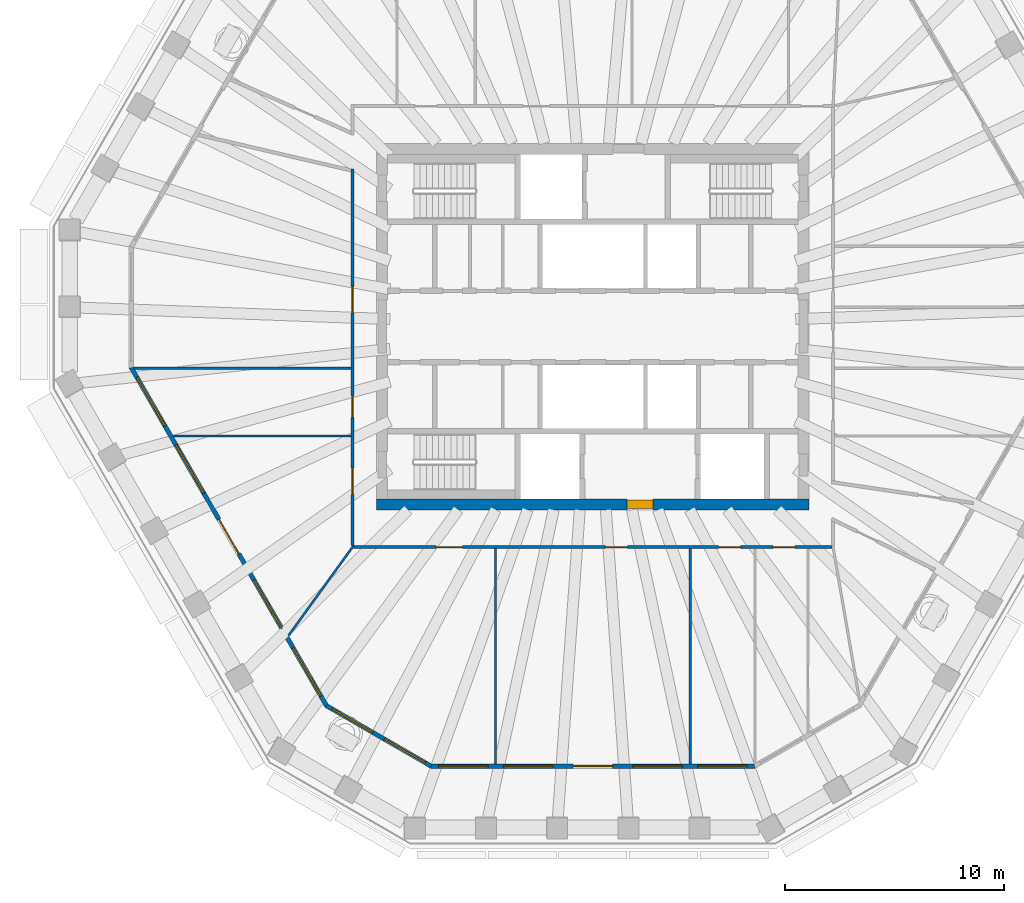
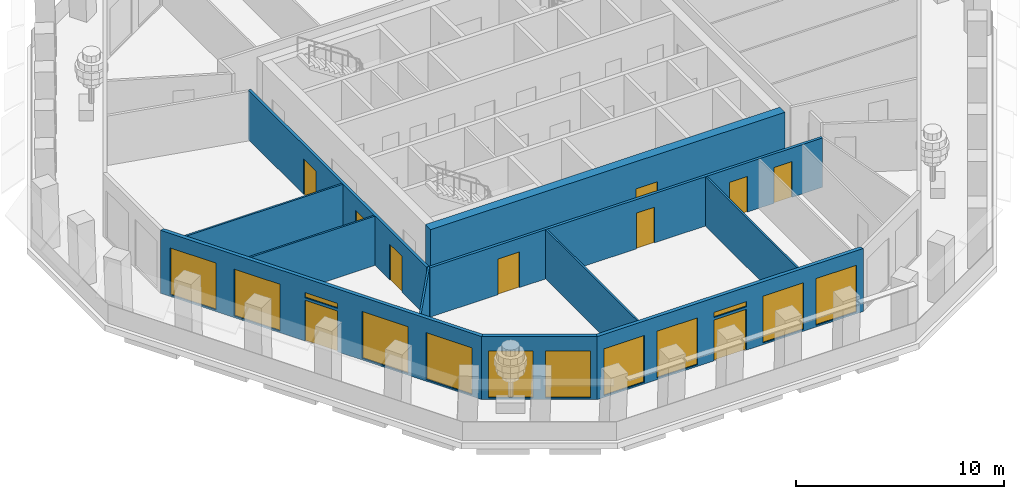
# One storey, part 3 of 12: 12 windows, 11 walls, 10 doors, 22 openings.
"""IFC4 building model written with IfcOpenShell, lengths in metres."""

from ifc_helpers import new_model, si_unit, direction, frame, frame_2d, origin, place, context, subcontext, project, spatial, polyline, rectangle, outline, extrude, material, layer, layer_set, type_object, element, fill, save


model = new_model("IFC4")

# Units and contexts
model_context = context("Model", 3, precision=1e-05, world=origin(), true_north=direction((0.0, 1.0)))
body_context = subcontext(model_context, "Body", "Model", "MODEL_VIEW")
ifc_project = project(units=[si_unit("LENGTHUNIT", "METRE"), si_unit("AREAUNIT", "SQUARE_METRE"), si_unit("VOLUMEUNIT", "CUBIC_METRE"), si_unit("PLANEANGLEUNIT", "RADIAN"), si_unit("MASSUNIT", "GRAM", prefix="KILO")], contexts=[model_context])

# Site, building, storey
site_placement = place(None, origin())
site = spatial("IfcSite", under=ifc_project, at=site_placement, CompositionType="ELEMENT")
building_placement = place(site_placement, origin())
building = spatial("IfcBuilding", under=site, at=building_placement, Name="Frailejon Research Tower", CompositionType="ELEMENT")
storey_placement = place(building_placement, frame((0.0, 0.0, 291.0)))
storey = spatial("IfcBuildingStorey", under=building, at=storey_placement, Name="L64", CompositionType="ELEMENT", Elevation=291.0)

# Wall, opening, door
ifc_material_1 = material(Name="Concrete C50/60", Category="concrete")
ifc_layer_1 = layer(ifc_material_1, 0.5)
ifc_layer_set_1 = layer_set([ifc_layer_1], Name="Core shear wall 500 C50/60")
wall_type_1 = type_object("IfcWallType", Name="Core shear wall 500 C50/60", PredefinedType="SHEAR", material=ifc_layer_set_1)
wall_1_placement = place(storey_placement, frame((-9.85009765625, -8.10009765625, 0.0), z_axis=(0.0, 0.0, 1.0), x_axis=(1.0, 0.0, 0.0)))
wall_1 = element("IfcWall", 1, at=wall_1_placement, inside=storey, type_object=wall_type_1, Name="Core shear wall", PredefinedType="SHEAR", context=body_context, shape_type="SweptSolid", body=[
    extrude(rectangle(XDim=19.7001953125, YDim=0.5, at=frame_2d((9.85009765625, 0.0))), origin(), (0.0, 0.0, 1.0), 3.699951171875),
])
opening_1_placement = place(wall_1_placement, frame((11.39990234375, 0.0, 0.0)))
opening_1 = element("IfcOpeningElement", 2, at=opening_1_placement, cuts=wall_1, Name="Opening D3", PredefinedType="OPENING", context=body_context, shape_type="SweptSolid", body=[
    extrude(rectangle(XDim=1.199951171875, YDim=2.10009765625, at=frame_2d((0.60009765625, 1.050048828125))), frame((0.0, 0.260009765625, 0.0), z_axis=(0.0, -1.0, 0.0), x_axis=(1.0, 0.0, 0.0)), (0.0, 0.0, 1.0), 0.52001953125),
])
ifc_material_2 = material(Name="Steel", Category="steel")
door_type_1 = type_object("IfcDoorType", Name="Firefighting lobby door", OperationType="SINGLE_SWING_LEFT", PredefinedType="DOOR", material=ifc_material_2)
door_1_placement = place(opening_1_placement, origin())
door_1 = element("IfcDoor", 3, at=door_1_placement, inside=storey, type_object=door_type_1, Name="Firefighting lobby door", OperationType="SINGLE_SWING_RIGHT", OverallHeight=2.10009765625, OverallWidth=1.199951171875, PredefinedType="DOOR", context=body_context, shape_type="SweptSolid", body=[
    extrude(rectangle(XDim=1.199951171875, YDim=2.10009765625, at=frame_2d((0.60009765625, 1.050048828125))), frame((0.0, 0.199951171875, 0.0), z_axis=(0.0, -1.0, 0.0), x_axis=(1.0, 0.0, 0.0)), (0.0, 0.0, 1.0), 0.39990234375),
])
fill(opening_1, door_1)

# Wall, openings, doors
ifc_material_3 = material(Name="Gypsum board and masonry partition", Category="masonry")
ifc_layer_2 = layer(ifc_material_3, 0.14990234375)
ifc_layer_set_2 = layer_set([ifc_layer_2], Name="Corridor wall EI 60, gypsum on steel studs 150")
wall_type_2 = type_object("IfcWallType", Name="Corridor wall EI 60, gypsum on steel studs 150", PredefinedType="PARTITIONING", material=ifc_layer_set_2)
wall_2_placement = place(storey_placement, frame((-10.949951171875, -9.97509765625, 0.0), z_axis=(0.0, 0.0, 1.0), x_axis=(0.0, 1.0, 0.0)))
wall_2 = element("IfcWall", 4, at=wall_2_placement, inside=storey, type_object=wall_type_2, Name="T:IW:L64:006", PredefinedType="PARTITIONING", context=body_context, shape_type="SweptSolid", body=[
    extrude(rectangle(XDim=17.150146484375, YDim=0.14990234375, at=frame_2d((8.5751953125, 0.0))), origin(), (0.0, 0.0, 1.0), 2.89990234375),
])
opening_2_placement = place(wall_2_placement, frame((10.603271484375, 0.0, 0.0)))
opening_2 = element("IfcOpeningElement", 5, at=opening_2_placement, cuts=wall_2, Name="Opening D2233", PredefinedType="OPENING", context=body_context, shape_type="SweptSolid", body=[
    extrude(rectangle(XDim=1.199951171875, YDim=2.10009765625, at=frame_2d((0.60009765625, 1.050048828125))), frame((0.0, 0.0849609375, 0.0), z_axis=(0.0, -1.0, 0.0), x_axis=(1.0, 0.0, 0.0)), (0.0, 0.0, 1.0), 0.169921875),
])
opening_3_placement = place(wall_2_placement, frame((5.822509765625, 0.0, 0.0)))
opening_3 = element("IfcOpeningElement", 6, at=opening_3_placement, cuts=wall_2, Name="Opening D2234", PredefinedType="OPENING", context=body_context, shape_type="SweptSolid", body=[
    extrude(rectangle(XDim=1.0, YDim=2.10009765625, at=frame_2d((0.5, 1.050048828125))), frame((0.0, 0.0849609375, 0.0), z_axis=(0.0, -1.0, 0.0), x_axis=(1.0, 0.0, 0.0)), (0.0, 0.0, 1.0), 0.169921875),
])
opening_4_placement = place(wall_2_placement, frame((2.32958984375, 0.0, 0.0)))
opening_4 = element("IfcOpeningElement", 7, at=opening_4_placement, cuts=wall_2, Name="Opening D2235", PredefinedType="OPENING", context=body_context, shape_type="SweptSolid", body=[
    extrude(rectangle(XDim=1.199951171875, YDim=2.10009765625, at=frame_2d((0.60009765625, 1.050048828125))), frame((0.0, 0.0849609375, 0.0), z_axis=(0.0, -1.0, 0.0), x_axis=(1.0, 0.0, 0.0)), (0.0, 0.0, 1.0), 0.169921875),
])
ifc_material_4 = material(Name="Timber door leaf", Category="wood")
door_type_2 = type_object("IfcDoorType", Name="Door single leaf, timber, steel frame 1000", OperationType="NOTDEFINED", PredefinedType="DOOR", material=ifc_material_4)
door_2_placement = place(opening_3_placement, origin())
door_2 = element("IfcDoor", 8, at=door_2_placement, inside=storey, type_object=door_type_2, Name="D2234", OperationType="SINGLE_SWING_RIGHT", OverallHeight=2.10009765625, OverallWidth=1.0, PredefinedType="DOOR", context=body_context, shape_type="SweptSolid", body=[
    extrude(rectangle(XDim=1.0, YDim=2.10009765625, at=frame_2d((0.5, 1.050048828125))), frame((0.0, 0.02490234375, 0.0), z_axis=(0.0, -1.0, 0.0), x_axis=(1.0, 0.0, 0.0)), (0.0, 0.0, 1.0), 0.050048828125),
])
fill(opening_3, door_2)
ifc_material_5 = material(Name="Timber door leaf", Category="wood")
door_type_3 = type_object("IfcDoorType", Name="Door single leaf, timber, steel frame 1200", OperationType="NOTDEFINED", PredefinedType="DOOR", material=ifc_material_5)
door_3_placement = place(opening_2_placement, origin())
door_3 = element("IfcDoor", 9, at=door_3_placement, inside=storey, type_object=door_type_3, Name="D2233", OperationType="DOUBLE_DOOR_SINGLE_SWING", OverallHeight=2.10009765625, OverallWidth=1.199951171875, PredefinedType="DOOR", context=body_context, shape_type="SweptSolid", body=[
    extrude(rectangle(XDim=1.199951171875, YDim=2.10009765625, at=frame_2d((0.60009765625, 1.050048828125))), frame((0.0, 0.02490234375, 0.0), z_axis=(0.0, -1.0, 0.0), x_axis=(1.0, 0.0, 0.0)), (0.0, 0.0, 1.0), 0.050048828125),
])
fill(opening_2, door_3)
door_4_placement = place(opening_4_placement, origin())
door_4 = element("IfcDoor", 10, at=door_4_placement, inside=storey, type_object=door_type_3, Name="D2235", OperationType="DOUBLE_DOOR_SINGLE_SWING", OverallHeight=2.10009765625, OverallWidth=1.199951171875, PredefinedType="DOOR", context=body_context, shape_type="SweptSolid", body=[
    extrude(rectangle(XDim=1.199951171875, YDim=2.10009765625, at=frame_2d((0.60009765625, 1.050048828125))), frame((0.0, 0.02490234375, 0.0), z_axis=(0.0, -1.0, 0.0), x_axis=(1.0, 0.0, 0.0)), (0.0, 0.0, 1.0), 0.050048828125),
])
fill(opening_4, door_4)

wall_3_placement = place(storey_placement, frame((-10.89990234375, -10.050048828125, 0.0), z_axis=(0.0, 0.0, 1.0), x_axis=(1.0, 0.0, 0.0)))
wall_3 = element("IfcWall", 11, at=wall_3_placement, inside=storey, type_object=wall_type_2, Name="T:IW:L64:008", PredefinedType="PARTITIONING", context=body_context, shape_type="SweptSolid", body=[
    extrude(rectangle(XDim=21.7998046875, YDim=0.14990234375, at=frame_2d((10.89990234375, 0.0))), origin(), (0.0, 0.0, 1.0), 2.89990234375),
])
opening_5_placement = place(wall_3_placement, frame((3.758544921875, 0.0, 0.0)))
opening_5 = element("IfcOpeningElement", 12, at=opening_5_placement, cuts=wall_3, Name="Opening D2236", PredefinedType="OPENING", context=body_context, shape_type="SweptSolid", body=[
    extrude(rectangle(XDim=1.199951171875, YDim=2.10009765625, at=frame_2d((0.60009765625, 1.050048828125))), frame((0.0, 0.0849609375, 0.0), z_axis=(0.0, -1.0, 0.0), x_axis=(1.0, 0.0, 0.0)), (0.0, 0.0, 1.0), 0.169921875),
])
opening_6_placement = place(wall_3_placement, frame((11.4765625, 0.0, 0.0)))
opening_6 = element("IfcOpeningElement", 13, at=opening_6_placement, cuts=wall_3, Name="Opening D2237", PredefinedType="OPENING", context=body_context, shape_type="SweptSolid", body=[
    extrude(rectangle(XDim=1.0, YDim=2.10009765625, at=frame_2d((0.5, 1.050048828125))), frame((0.0, 0.0849609375, 0.0), z_axis=(0.0, -1.0, 0.0), x_axis=(1.0, 0.0, 0.0)), (0.0, 0.0, 1.0), 0.169921875),
])
opening_7_placement = place(wall_3_placement, frame((16.6328125, 0.0, 0.0)))
opening_7 = element("IfcOpeningElement", 14, at=opening_7_placement, cuts=wall_3, Name="Opening D2238", PredefinedType="OPENING", context=body_context, shape_type="SweptSolid", body=[
    extrude(rectangle(XDim=1.0, YDim=2.10009765625, at=frame_2d((0.5, 1.050048828125))), frame((0.0, 0.0849609375, 0.0), z_axis=(0.0, -1.0, 0.0), x_axis=(1.0, 0.0, 0.0)), (0.0, 0.0, 1.0), 0.169921875),
])
opening_8_placement = place(wall_3_placement, frame((19.106689453125, 0.0, 0.0)))
opening_8 = element("IfcOpeningElement", 15, at=opening_8_placement, cuts=wall_3, Name="Opening D2239", PredefinedType="OPENING", context=body_context, shape_type="SweptSolid", body=[
    extrude(rectangle(XDim=1.0, YDim=2.10009765625, at=frame_2d((0.5, 1.050048828125))), frame((0.0, 0.0849609375, 0.0), z_axis=(0.0, -1.0, 0.0), x_axis=(1.0, 0.0, 0.0)), (0.0, 0.0, 1.0), 0.169921875),
])
door_5_placement = place(opening_6_placement, origin())
door_5 = element("IfcDoor", 16, at=door_5_placement, inside=storey, type_object=door_type_2, Name="D2237", OperationType="SINGLE_SWING_LEFT", OverallHeight=2.10009765625, OverallWidth=1.0, PredefinedType="DOOR", context=body_context, shape_type="SweptSolid", body=[
    extrude(rectangle(XDim=1.0, YDim=2.10009765625, at=frame_2d((0.5, 1.050048828125))), frame((0.0, 0.02490234375, 0.0), z_axis=(0.0, -1.0, 0.0), x_axis=(1.0, 0.0, 0.0)), (0.0, 0.0, 1.0), 0.050048828125),
])
fill(opening_6, door_5)
door_6_placement = place(opening_7_placement, origin())
door_6 = element("IfcDoor", 17, at=door_6_placement, inside=storey, type_object=door_type_2, Name="D2238", OperationType="SINGLE_SWING_LEFT", OverallHeight=2.10009765625, OverallWidth=1.0, PredefinedType="DOOR", context=body_context, shape_type="SweptSolid", body=[
    extrude(rectangle(XDim=1.0, YDim=2.10009765625, at=frame_2d((0.5, 1.050048828125))), frame((0.0, 0.02490234375, 0.0), z_axis=(0.0, -1.0, 0.0), x_axis=(1.0, 0.0, 0.0)), (0.0, 0.0, 1.0), 0.050048828125),
])
fill(opening_7, door_6)
door_7_placement = place(opening_8_placement, origin())
door_7 = element("IfcDoor", 18, at=door_7_placement, inside=storey, type_object=door_type_2, Name="D2239", OperationType="SINGLE_SWING_RIGHT", OverallHeight=2.10009765625, OverallWidth=1.0, PredefinedType="DOOR", context=body_context, shape_type="SweptSolid", body=[
    extrude(rectangle(XDim=1.0, YDim=2.10009765625, at=frame_2d((0.5, 1.050048828125))), frame((0.0, 0.02490234375, 0.0), z_axis=(0.0, -1.0, 0.0), x_axis=(1.0, 0.0, 0.0)), (0.0, 0.0, 1.0), 0.050048828125),
])
fill(opening_8, door_7)
door_8_placement = place(opening_5_placement, origin())
door_8 = element("IfcDoor", 19, at=door_8_placement, inside=storey, type_object=door_type_3, Name="D2236", OperationType="DOUBLE_DOOR_SINGLE_SWING", OverallHeight=2.10009765625, OverallWidth=1.199951171875, PredefinedType="DOOR", context=body_context, shape_type="SweptSolid", body=[
    extrude(rectangle(XDim=1.199951171875, YDim=2.10009765625, at=frame_2d((0.60009765625, 1.050048828125))), frame((0.0, 0.02490234375, 0.0), z_axis=(0.0, -1.0, 0.0), x_axis=(1.0, 0.0, 0.0)), (0.0, 0.0, 1.0), 0.050048828125),
])
fill(opening_5, door_8)

# Walls
ifc_material_6 = material(Name="Gypsum board and masonry partition", Category="masonry")
ifc_layer_3 = layer(ifc_material_6, 0.10009765625)
ifc_layer_set_3 = layer_set([ifc_layer_3], Name="Partition, gypsum on steel studs 100")
wall_type_3 = type_object("IfcWallType", Name="Partition, gypsum on steel studs 100", PredefinedType="PARTITIONING", material=ifc_layer_set_3)
wall_4_placement = place(storey_placement, frame((-20.90087890625, -1.898681640625, 0.0), z_axis=(0.0, 0.0, 1.0), x_axis=(1.0, 0.0, 0.0)))
element("IfcWall", 20, at=wall_4_placement, inside=storey, type_object=wall_type_3, Name="T:IW:L64:019", PredefinedType="PARTITIONING", context=body_context, shape_type="SweptSolid", body=[
    extrude(rectangle(XDim=9.8759765625, YDim=0.10009765625, at=frame_2d((4.93798828125, 0.0))), origin(), (0.0, 0.0, 1.0), 2.89990234375),
])
wall_5_placement = place(storey_placement, frame((-19.11669921875, -4.989013671875, 0.0), z_axis=(0.0, 0.0, 1.0), x_axis=(1.0, 0.0, 0.0)))
element("IfcWall", 21, at=wall_5_placement, inside=storey, type_object=wall_type_3, Name="T:IW:L64:021", PredefinedType="PARTITIONING", context=body_context, shape_type="SweptSolid", body=[
    extrude(rectangle(XDim=8.091796875, YDim=0.10009765625, at=frame_2d((4.0458984375, 0.0))), origin(), (0.0, 0.0, 1.0), 2.89990234375),
])
wall_6_placement = place(storey_placement, frame((-13.8662109375, -14.083251953125, 0.0), z_axis=(0.0, 0.0, 1.0), x_axis=(0.585936855822, 0.810356712189, 0.0)))
element("IfcWall", 22, at=wall_6_placement, inside=storey, type_object=wall_type_3, Name="T:IW:L64:023", PredefinedType="PARTITIONING", context=body_context, shape_type="SweptSolid", body=[
    extrude(rectangle(XDim=5.052001953125, YDim=0.10009765625, at=frame_2d((2.52587890625, 0.0))), origin(), (0.0, 0.0, 1.0), 2.89990234375),
])
for number, where, z_axis, x_axis, name in (
    (23, (-4.438720703125, -19.929931640625, 0.0), (0.0, 0.0, 1.0), (0.0, 1.0, 0.0), "T:IW:L64:024"),
    (24, (4.438720703125, -19.929931640625, 0.0), (0.0, 0.0, 1.0), (0.0, 1.0, 0.0), "T:IW:L64:025"),
):
    element("IfcWall", number, at=place(storey_placement, frame(where, z_axis=z_axis, x_axis=x_axis)), inside=storey, type_object=wall_type_3, Name=name, PredefinedType="PARTITIONING", context=body_context, shape_type="SweptSolid", body=[
        extrude(rectangle(XDim=9.804931640625, YDim=0.10009765625, at=frame_2d((4.90234375, 0.0))), origin(), (0.0, 0.0, 1.0), 2.89990234375),
    ])

# Wall, openings, door, windows
ifc_material_7 = material(Name="Concrete C40/50 precast window wall panel", Category="concrete")
ifc_layer_4 = layer(ifc_material_7, 0.199951171875)
ifc_layer_set_4 = layer_set([ifc_layer_4], Name="Window wall 200")
wall_type_4 = type_object("IfcWallType", Name="Window wall 200", PredefinedType="SOLIDWALL", material=ifc_layer_set_4)
wall_7_placement = place(storey_placement, frame((-21.03173828125, -1.871826171875, 0.0), z_axis=(0.0, 0.0, 1.0), x_axis=(0.499992911004, -0.86602949658, 0.0)))
wall_7 = element("IfcWall", 25, at=wall_7_placement, inside=storey, type_object=wall_type_4, Name="Exterior wall L64", PredefinedType="SOLIDWALL", context=body_context, shape_type="SweptSolid", body=[
    extrude(outline(polyline([(-0.02685546875, -0.10009765625), (1.022705078125, -0.10009765625), (2.072265625, -0.10009765625), (3.1220703125, -0.10009765625), (4.171630859375, -0.10009765625), (5.22119140625, -0.10009765625), (6.270751953125, -0.10009765625), (7.320556640625, -0.10009765625), (8.3701171875, -0.10009765625), (9.419677734375, -0.10009765625), (10.46923828125, -0.10009765625), (11.51904296875, -0.10009765625), (12.568603515625, -0.10009765625), (13.6181640625, -0.10009765625), (14.667724609375, -0.10009765625), (15.717529296875, -0.10009765625), (16.76708984375, -0.10009765625), (17.816650390625, -0.10009765625), (17.762939453125, 0.10009765625), (16.7197265625, 0.10009765625), (15.67626953125, 0.10009765625), (14.633056640625, 0.10009765625), (13.58984375, 0.10009765625), (12.54638671875, 0.10009765625), (11.503173828125, 0.10009765625), (10.4599609375, 0.10009765625), (9.41650390625, 0.10009765625), (8.373291015625, 0.10009765625), (7.329833984375, 0.10009765625), (6.28662109375, 0.10009765625), (5.243408203125, 0.10009765625), (4.199951171875, 0.10009765625), (3.15673828125, 0.10009765625), (2.113525390625, 0.10009765625), (1.070068359375, 0.10009765625), (0.02685546875, 0.10009765625), (-0.02685546875, -0.10009765625)])), origin(), (0.0, 0.0, 1.0), 3.699951171875),
])
opening_9_placement = place(wall_7_placement, frame((0.50390625, 0.0, 0.10009765625)))
opening_9 = element("IfcOpeningElement", 26, at=opening_9_placement, cuts=wall_7, Name="Opening W25", PredefinedType="OPENING", context=body_context, shape_type="SweptSolid", body=[
    extrude(rectangle(XDim=2.550048828125, YDim=2.75, at=frame_2d((1.27490234375, 1.375))), frame((0.0, 0.10986328125, 0.0), z_axis=(0.0, -1.0, 0.0), x_axis=(1.0, 0.0, 0.0)), (0.0, 0.0, 1.0), 0.219970703125),
])
opening_10_placement = place(wall_7_placement, frame((4.06201171875, 0.0, 0.10009765625)))
opening_10 = element("IfcOpeningElement", 27, at=opening_10_placement, cuts=wall_7, Name="Opening W25", PredefinedType="OPENING", context=body_context, shape_type="SweptSolid", body=[
    extrude(rectangle(XDim=2.550048828125, YDim=2.75, at=frame_2d((1.27490234375, 1.375))), frame((0.0, 0.10986328125, 0.0), z_axis=(0.0, -1.0, 0.0), x_axis=(1.0, 0.0, 0.0)), (0.0, 0.0, 1.0), 0.219970703125),
])
opening_11_placement = place(wall_7_placement, frame((7.994873046875, 0.0, 0.0)))
opening_11 = element("IfcOpeningElement", 28, at=opening_11_placement, cuts=wall_7, Name="Opening LG64-4", PredefinedType="OPENING", context=body_context, shape_type="SweptSolid", body=[
    extrude(rectangle(XDim=1.800048828125, YDim=2.39990234375, at=frame_2d((0.89990234375, 1.199951171875))), frame((0.0, 0.10986328125, 0.0), z_axis=(0.0, -1.0, 0.0), x_axis=(1.0, 0.0, 0.0)), (0.0, 0.0, 1.0), 0.219970703125),
])
opening_12_placement = place(wall_7_placement, frame((7.994873046875, 0.0, 2.550048828125)))
opening_12 = element("IfcOpeningElement", 29, at=opening_12_placement, cuts=wall_7, Name="Opening W24", PredefinedType="OPENING", context=body_context, shape_type="SweptSolid", body=[
    extrude(rectangle(XDim=1.800048828125, YDim=0.300048828125, at=frame_2d((0.89990234375, 0.14990234375))), frame((0.0, 0.10986328125, 0.0), z_axis=(0.0, -1.0, 0.0), x_axis=(1.0, 0.0, 0.0)), (0.0, 0.0, 1.0), 0.219970703125),
])
opening_13_placement = place(wall_7_placement, frame((11.177978515625, 0.0, 0.10009765625)))
opening_13 = element("IfcOpeningElement", 30, at=opening_13_placement, cuts=wall_7, Name="Opening W25", PredefinedType="OPENING", context=body_context, shape_type="SweptSolid", body=[
    extrude(rectangle(XDim=2.550048828125, YDim=2.75, at=frame_2d((1.27490234375, 1.375))), frame((0.0, 0.10986328125, 0.0), z_axis=(0.0, -1.0, 0.0), x_axis=(1.0, 0.0, 0.0)), (0.0, 0.0, 1.0), 0.219970703125),
])
opening_14_placement = place(wall_7_placement, frame((14.73583984375, 0.0, 0.10009765625)))
opening_14 = element("IfcOpeningElement", 31, at=opening_14_placement, cuts=wall_7, Name="Opening W25", PredefinedType="OPENING", context=body_context, shape_type="SweptSolid", body=[
    extrude(rectangle(XDim=2.550048828125, YDim=2.75, at=frame_2d((1.27490234375, 1.375))), frame((0.0, 0.10986328125, 0.0), z_axis=(0.0, -1.0, 0.0), x_axis=(1.0, 0.0, 0.0)), (0.0, 0.0, 1.0), 0.219970703125),
])
ifc_material_8 = material(Name="Aluminium framed glazed door leaf", Category="aluminium")
door_type_4 = type_object("IfcDoorType", Name="Loggia door 1800x2400", OperationType="DOUBLE_DOOR_SINGLE_SWING", PredefinedType="DOOR", material=ifc_material_8)
door_9_placement = place(opening_11_placement, origin())
door_9 = element("IfcDoor", 32, at=door_9_placement, inside=storey, type_object=door_type_4, Name="Door LG64-4", OperationType="DOUBLE_DOOR_SINGLE_SWING", OverallHeight=2.39990234375, OverallWidth=1.800048828125, PredefinedType="DOOR", context=body_context, shape_type="SweptSolid", body=[
    extrude(rectangle(XDim=1.800048828125, YDim=2.39990234375, at=frame_2d((0.89990234375, 1.199951171875))), frame((0.0, 0.02490234375, 0.0), z_axis=(0.0, -1.0, 0.0), x_axis=(1.0, 0.0, 0.0)), (0.0, 0.0, 1.0), 0.050048828125),
])
fill(opening_11, door_9)
ifc_material_9 = material(Name="Aluminium framed double glazing", Category="aluminium")
window_type_1 = type_object("IfcWindowType", Name="Window 1800x300", PartitioningType="SINGLE_PANEL", PredefinedType="WINDOW", material=ifc_material_9)
window_1_placement = place(opening_12_placement, origin())
window_1 = element("IfcWindow", 33, at=window_1_placement, inside=storey, type_object=window_type_1, Name="Window L64", OverallHeight=0.300048828125, OverallWidth=1.800048828125, PartitioningType="SINGLE_PANEL", PredefinedType="WINDOW", context=body_context, shape_type="SweptSolid", body=[
    extrude(rectangle(XDim=1.800048828125, YDim=0.300048828125, at=frame_2d((0.89990234375, 0.14990234375))), frame((0.0, 0.030029296875, 0.0), z_axis=(0.0, -1.0, 0.0), x_axis=(1.0, 0.0, 0.0)), (0.0, 0.0, 1.0), 0.06005859375),
])
fill(opening_12, window_1)
ifc_material_10 = material(Name="Aluminium framed double glazing", Category="aluminium")
window_type_2 = type_object("IfcWindowType", Name="Window 2550x2750", PartitioningType="SINGLE_PANEL", PredefinedType="WINDOW", material=ifc_material_10)
window_2_placement = place(opening_9_placement, origin())
window_2 = element("IfcWindow", 34, at=window_2_placement, inside=storey, type_object=window_type_2, Name="Window L64", OverallHeight=2.75, OverallWidth=2.550048828125, PartitioningType="SINGLE_PANEL", PredefinedType="WINDOW", context=body_context, shape_type="SweptSolid", body=[
    extrude(rectangle(XDim=2.550048828125, YDim=2.75, at=frame_2d((1.27490234375, 1.375))), frame((0.0, 0.030029296875, 0.0), z_axis=(0.0, -1.0, 0.0), x_axis=(1.0, 0.0, 0.0)), (0.0, 0.0, 1.0), 0.06005859375),
])
fill(opening_9, window_2)
window_3_placement = place(opening_10_placement, origin())
window_3 = element("IfcWindow", 35, at=window_3_placement, inside=storey, type_object=window_type_2, Name="Window L64", OverallHeight=2.75, OverallWidth=2.550048828125, PartitioningType="SINGLE_PANEL", PredefinedType="WINDOW", context=body_context, shape_type="SweptSolid", body=[
    extrude(rectangle(XDim=2.550048828125, YDim=2.75, at=frame_2d((1.27490234375, 1.375))), frame((0.0, 0.030029296875, 0.0), z_axis=(0.0, -1.0, 0.0), x_axis=(1.0, 0.0, 0.0)), (0.0, 0.0, 1.0), 0.06005859375),
])
fill(opening_10, window_3)
window_4_placement = place(opening_13_placement, origin())
window_4 = element("IfcWindow", 36, at=window_4_placement, inside=storey, type_object=window_type_2, Name="Window L64", OverallHeight=2.75, OverallWidth=2.550048828125, PartitioningType="SINGLE_PANEL", PredefinedType="WINDOW", context=body_context, shape_type="SweptSolid", body=[
    extrude(rectangle(XDim=2.550048828125, YDim=2.75, at=frame_2d((1.27490234375, 1.375))), frame((0.0, 0.030029296875, 0.0), z_axis=(0.0, -1.0, 0.0), x_axis=(1.0, 0.0, 0.0)), (0.0, 0.0, 1.0), 0.06005859375),
])
fill(opening_13, window_4)
window_5_placement = place(opening_14_placement, origin())
window_5 = element("IfcWindow", 37, at=window_5_placement, inside=storey, type_object=window_type_2, Name="Window L64", OverallHeight=2.75, OverallWidth=2.550048828125, PartitioningType="SINGLE_PANEL", PredefinedType="WINDOW", context=body_context, shape_type="SweptSolid", body=[
    extrude(rectangle(XDim=2.550048828125, YDim=2.75, at=frame_2d((1.27490234375, 1.375))), frame((0.0, 0.030029296875, 0.0), z_axis=(0.0, -1.0, 0.0), x_axis=(1.0, 0.0, 0.0)), (0.0, 0.0, 1.0), 0.06005859375),
])
fill(opening_14, window_5)

# Wall, openings, windows
wall_8_placement = place(storey_placement, frame((-12.136962890625, -17.2783203125, 0.0), z_axis=(0.0, 0.0, 1.0), x_axis=(0.866045226484, -0.499965664505, 0.0)))
wall_8 = element("IfcWall", 38, at=wall_8_placement, inside=storey, type_object=wall_type_4, Name="Exterior wall L64", PredefinedType="SOLIDWALL", context=body_context, shape_type="SweptSolid", body=[
    extrude(outline(polyline([(-0.02685546875, -0.10009765625), (1.08447265625, -0.10009765625), (2.196044921875, -0.10009765625), (3.307373046875, -0.10009765625), (4.4189453125, -0.10009765625), (5.5302734375, -0.10009765625), (5.4765625, 0.10009765625), (4.38671875, 0.10009765625), (3.296630859375, 0.10009765625), (2.206787109375, 0.10009765625), (1.11669921875, 0.10009765625), (0.02685546875, 0.10009765625), (-0.02685546875, -0.10009765625)])), origin(), (0.0, 0.0, 1.0), 3.699951171875),
])
opening_15_placement = place(wall_8_placement, frame((0.30078125, 0.0, 0.10009765625)))
opening_15 = element("IfcOpeningElement", 39, at=opening_15_placement, cuts=wall_8, Name="Opening W22", PredefinedType="OPENING", context=body_context, shape_type="SweptSolid", body=[
    extrude(rectangle(XDim=2.14990234375, YDim=2.75, at=frame_2d((1.074951171875, 1.375))), frame((0.0, 0.10986328125, 0.0), z_axis=(0.0, -1.0, 0.0), x_axis=(1.0, 0.0, 0.0)), (0.0, 0.0, 1.0), 0.219970703125),
])
opening_16_placement = place(wall_8_placement, frame((3.052490234375, 0.0, 0.10009765625)))
opening_16 = element("IfcOpeningElement", 40, at=opening_16_placement, cuts=wall_8, Name="Opening W22", PredefinedType="OPENING", context=body_context, shape_type="SweptSolid", body=[
    extrude(rectangle(XDim=2.14990234375, YDim=2.75, at=frame_2d((1.074951171875, 1.375))), frame((0.0, 0.10986328125, 0.0), z_axis=(0.0, -1.0, 0.0), x_axis=(1.0, 0.0, 0.0)), (0.0, 0.0, 1.0), 0.219970703125),
])
ifc_material_11 = material(Name="Aluminium framed double glazing", Category="aluminium")
window_type_3 = type_object("IfcWindowType", Name="Window 2150x2750", PartitioningType="SINGLE_PANEL", PredefinedType="WINDOW", material=ifc_material_11)
window_6_placement = place(opening_15_placement, origin())
window_6 = element("IfcWindow", 41, at=window_6_placement, inside=storey, type_object=window_type_3, Name="Window L64", OverallHeight=2.75, OverallWidth=2.14990234375, PartitioningType="SINGLE_PANEL", PredefinedType="WINDOW", context=body_context, shape_type="SweptSolid", body=[
    extrude(rectangle(XDim=2.14990234375, YDim=2.75, at=frame_2d((1.074951171875, 1.375))), frame((0.0, 0.030029296875, 0.0), z_axis=(0.0, -1.0, 0.0), x_axis=(1.0, 0.0, 0.0)), (0.0, 0.0, 1.0), 0.06005859375),
])
fill(opening_15, window_6)
window_7_placement = place(opening_16_placement, origin())
window_7 = element("IfcWindow", 42, at=window_7_placement, inside=storey, type_object=window_type_3, Name="Window L64", OverallHeight=2.75, OverallWidth=2.14990234375, PartitioningType="SINGLE_PANEL", PredefinedType="WINDOW", context=body_context, shape_type="SweptSolid", body=[
    extrude(rectangle(XDim=2.14990234375, YDim=2.75, at=frame_2d((1.074951171875, 1.375))), frame((0.0, 0.030029296875, 0.0), z_axis=(0.0, -1.0, 0.0), x_axis=(1.0, 0.0, 0.0)), (0.0, 0.0, 1.0), 0.06005859375),
])
fill(opening_16, window_7)

# Wall, openings, door, windows
wall_9_placement = place(storey_placement, frame((-7.370849609375, -20.02978515625, 0.0), z_axis=(0.0, 0.0, 1.0), x_axis=(1.0, 0.0, 0.0)))
wall_9 = element("IfcWall", 43, at=wall_9_placement, inside=storey, type_object=wall_type_4, Name="Exterior wall L64", PredefinedType="SOLIDWALL", context=body_context, shape_type="SweptSolid", body=[
    extrude(outline(polyline([(-0.02685546875, -0.10009765625), (1.030029296875, -0.10009765625), (2.086669921875, -0.10009765625), (3.1435546875, -0.10009765625), (4.200439453125, -0.10009765625), (5.25732421875, -0.10009765625), (6.31396484375, -0.10009765625), (7.370849609375, -0.10009765625), (8.427734375, -0.10009765625), (9.484375, -0.10009765625), (10.541259765625, -0.10009765625), (11.59814453125, -0.10009765625), (12.655029296875, -0.10009765625), (13.711669921875, -0.10009765625), (14.7685546875, -0.10009765625), (14.71484375, 0.10009765625), (13.665771484375, 0.10009765625), (12.616455078125, 0.10009765625), (11.5673828125, 0.10009765625), (10.518310546875, 0.10009765625), (9.46923828125, 0.10009765625), (8.419921875, 0.10009765625), (7.370849609375, 0.10009765625), (6.32177734375, 0.10009765625), (5.2724609375, 0.10009765625), (4.223388671875, 0.10009765625), (3.17431640625, 0.10009765625), (2.125244140625, 0.10009765625), (1.075927734375, 0.10009765625), (0.02685546875, 0.10009765625), (-0.02685546875, -0.10009765625)])), origin(), (0.0, 0.0, 1.0), 3.699951171875),
])
opening_17_placement = place(wall_9_placement, frame((0.34912109375, 0.0, 0.10009765625)))
opening_17 = element("IfcOpeningElement", 44, at=opening_17_placement, cuts=wall_9, Name="Opening W23", PredefinedType="OPENING", context=body_context, shape_type="SweptSolid", body=[
    extrude(rectangle(XDim=2.25, YDim=2.75, at=frame_2d((1.125, 1.375))), frame((0.0, 0.10986328125, 0.0), z_axis=(0.0, -1.0, 0.0), x_axis=(1.0, 0.0, 0.0)), (0.0, 0.0, 1.0), 0.219970703125),
])
opening_18_placement = place(wall_9_placement, frame((3.297607421875, 0.0, 0.10009765625)))
opening_18 = element("IfcOpeningElement", 45, at=opening_18_placement, cuts=wall_9, Name="Opening W23", PredefinedType="OPENING", context=body_context, shape_type="SweptSolid", body=[
    extrude(rectangle(XDim=2.25, YDim=2.75, at=frame_2d((1.125, 1.375))), frame((0.0, 0.10986328125, 0.0), z_axis=(0.0, -1.0, 0.0), x_axis=(1.0, 0.0, 0.0)), (0.0, 0.0, 1.0), 0.219970703125),
])
opening_19_placement = place(wall_9_placement, frame((6.470703125, 0.0, 0.0)))
opening_19 = element("IfcOpeningElement", 46, at=opening_19_placement, cuts=wall_9, Name="Opening LG64-5", PredefinedType="OPENING", context=body_context, shape_type="SweptSolid", body=[
    extrude(rectangle(XDim=1.800048828125, YDim=2.39990234375, at=frame_2d((0.89990234375, 1.199951171875))), frame((0.0, 0.10986328125, 0.0), z_axis=(0.0, -1.0, 0.0), x_axis=(1.0, 0.0, 0.0)), (0.0, 0.0, 1.0), 0.219970703125),
])
opening_20_placement = place(wall_9_placement, frame((6.470703125, 0.0, 2.550048828125)))
opening_20 = element("IfcOpeningElement", 47, at=opening_20_placement, cuts=wall_9, Name="Opening W24", PredefinedType="OPENING", context=body_context, shape_type="SweptSolid", body=[
    extrude(rectangle(XDim=1.800048828125, YDim=0.300048828125, at=frame_2d((0.89990234375, 0.14990234375))), frame((0.0, 0.10986328125, 0.0), z_axis=(0.0, -1.0, 0.0), x_axis=(1.0, 0.0, 0.0)), (0.0, 0.0, 1.0), 0.219970703125),
])
opening_21_placement = place(wall_9_placement, frame((9.194091796875, 0.0, 0.10009765625)))
opening_21 = element("IfcOpeningElement", 48, at=opening_21_placement, cuts=wall_9, Name="Opening W23", PredefinedType="OPENING", context=body_context, shape_type="SweptSolid", body=[
    extrude(rectangle(XDim=2.25, YDim=2.75, at=frame_2d((1.125, 1.375))), frame((0.0, 0.10986328125, 0.0), z_axis=(0.0, -1.0, 0.0), x_axis=(1.0, 0.0, 0.0)), (0.0, 0.0, 1.0), 0.219970703125),
])
opening_22_placement = place(wall_9_placement, frame((12.142578125, 0.0, 0.10009765625)))
opening_22 = element("IfcOpeningElement", 49, at=opening_22_placement, cuts=wall_9, Name="Opening W23", PredefinedType="OPENING", context=body_context, shape_type="SweptSolid", body=[
    extrude(rectangle(XDim=2.25, YDim=2.75, at=frame_2d((1.125, 1.375))), frame((0.0, 0.10986328125, 0.0), z_axis=(0.0, -1.0, 0.0), x_axis=(1.0, 0.0, 0.0)), (0.0, 0.0, 1.0), 0.219970703125),
])
door_10_placement = place(opening_19_placement, origin())
door_10 = element("IfcDoor", 50, at=door_10_placement, inside=storey, type_object=door_type_4, Name="Door LG64-5", OperationType="DOUBLE_DOOR_SINGLE_SWING", OverallHeight=2.39990234375, OverallWidth=1.800048828125, PredefinedType="DOOR", context=body_context, shape_type="SweptSolid", body=[
    extrude(rectangle(XDim=1.800048828125, YDim=2.39990234375, at=frame_2d((0.89990234375, 1.199951171875))), frame((0.0, 0.02490234375, 0.0), z_axis=(0.0, -1.0, 0.0), x_axis=(1.0, 0.0, 0.0)), (0.0, 0.0, 1.0), 0.050048828125),
])
fill(opening_19, door_10)
window_8_placement = place(opening_20_placement, origin())
window_8 = element("IfcWindow", 51, at=window_8_placement, inside=storey, type_object=window_type_1, Name="Window L64", OverallHeight=0.300048828125, OverallWidth=1.800048828125, PartitioningType="SINGLE_PANEL", PredefinedType="WINDOW", context=body_context, shape_type="SweptSolid", body=[
    extrude(rectangle(XDim=1.800048828125, YDim=0.300048828125, at=frame_2d((0.89990234375, 0.14990234375))), frame((0.0, 0.030029296875, 0.0), z_axis=(0.0, -1.0, 0.0), x_axis=(1.0, 0.0, 0.0)), (0.0, 0.0, 1.0), 0.06005859375),
])
fill(opening_20, window_8)
ifc_material_12 = material(Name="Aluminium framed double glazing", Category="aluminium")
window_type_4 = type_object("IfcWindowType", Name="Window 2250x2750", PartitioningType="SINGLE_PANEL", PredefinedType="WINDOW", material=ifc_material_12)
window_9_placement = place(opening_17_placement, origin())
window_9 = element("IfcWindow", 52, at=window_9_placement, inside=storey, type_object=window_type_4, Name="Window L64", OverallHeight=2.75, OverallWidth=2.25, PartitioningType="SINGLE_PANEL", PredefinedType="WINDOW", context=body_context, shape_type="SweptSolid", body=[
    extrude(rectangle(XDim=2.25, YDim=2.75, at=frame_2d((1.125, 1.375))), frame((0.0, 0.030029296875, 0.0), z_axis=(0.0, -1.0, 0.0), x_axis=(1.0, 0.0, 0.0)), (0.0, 0.0, 1.0), 0.06005859375),
])
fill(opening_17, window_9)
window_10_placement = place(opening_18_placement, origin())
window_10 = element("IfcWindow", 53, at=window_10_placement, inside=storey, type_object=window_type_4, Name="Window L64", OverallHeight=2.75, OverallWidth=2.25, PartitioningType="SINGLE_PANEL", PredefinedType="WINDOW", context=body_context, shape_type="SweptSolid", body=[
    extrude(rectangle(XDim=2.25, YDim=2.75, at=frame_2d((1.125, 1.375))), frame((0.0, 0.030029296875, 0.0), z_axis=(0.0, -1.0, 0.0), x_axis=(1.0, 0.0, 0.0)), (0.0, 0.0, 1.0), 0.06005859375),
])
fill(opening_18, window_10)
window_11_placement = place(opening_21_placement, origin())
window_11 = element("IfcWindow", 54, at=window_11_placement, inside=storey, type_object=window_type_4, Name="Window L64", OverallHeight=2.75, OverallWidth=2.25, PartitioningType="SINGLE_PANEL", PredefinedType="WINDOW", context=body_context, shape_type="SweptSolid", body=[
    extrude(rectangle(XDim=2.25, YDim=2.75, at=frame_2d((1.125, 1.375))), frame((0.0, 0.030029296875, 0.0), z_axis=(0.0, -1.0, 0.0), x_axis=(1.0, 0.0, 0.0)), (0.0, 0.0, 1.0), 0.06005859375),
])
fill(opening_21, window_11)
window_12_placement = place(opening_22_placement, origin())
window_12 = element("IfcWindow", 55, at=window_12_placement, inside=storey, type_object=window_type_4, Name="Window L64", OverallHeight=2.75, OverallWidth=2.25, PartitioningType="SINGLE_PANEL", PredefinedType="WINDOW", context=body_context, shape_type="SweptSolid", body=[
    extrude(rectangle(XDim=2.25, YDim=2.75, at=frame_2d((1.125, 1.375))), frame((0.0, 0.030029296875, 0.0), z_axis=(0.0, -1.0, 0.0), x_axis=(1.0, 0.0, 0.0)), (0.0, 0.0, 1.0), 0.06005859375),
])
fill(opening_22, window_12)

save(model, "model.ifc")
